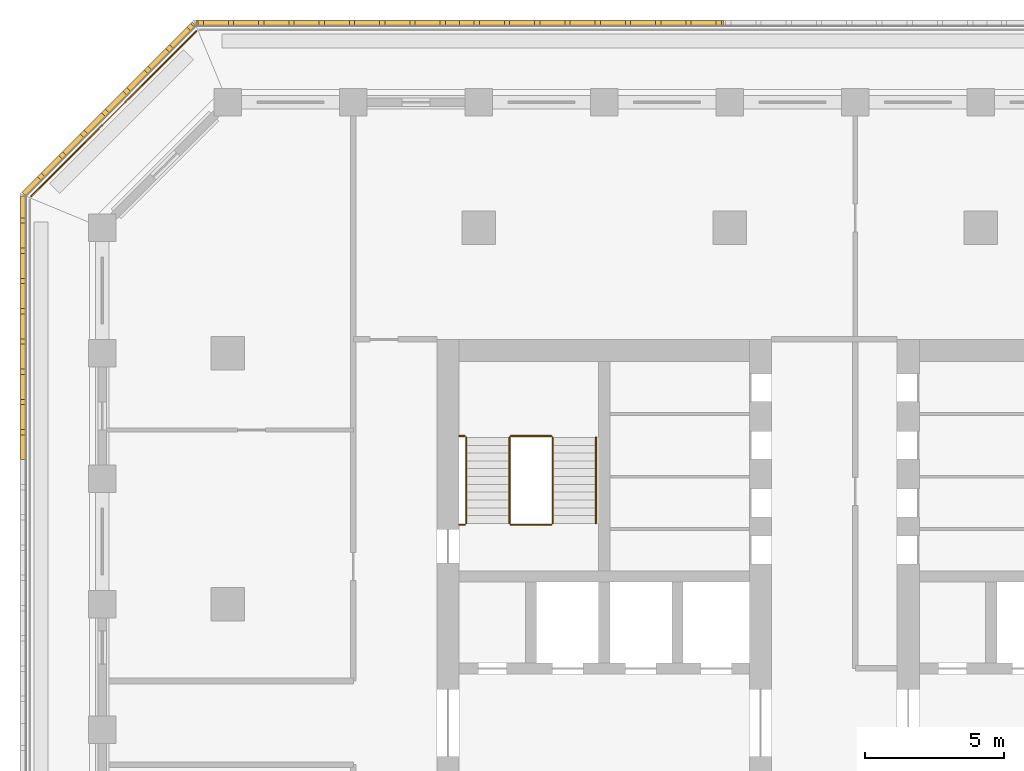
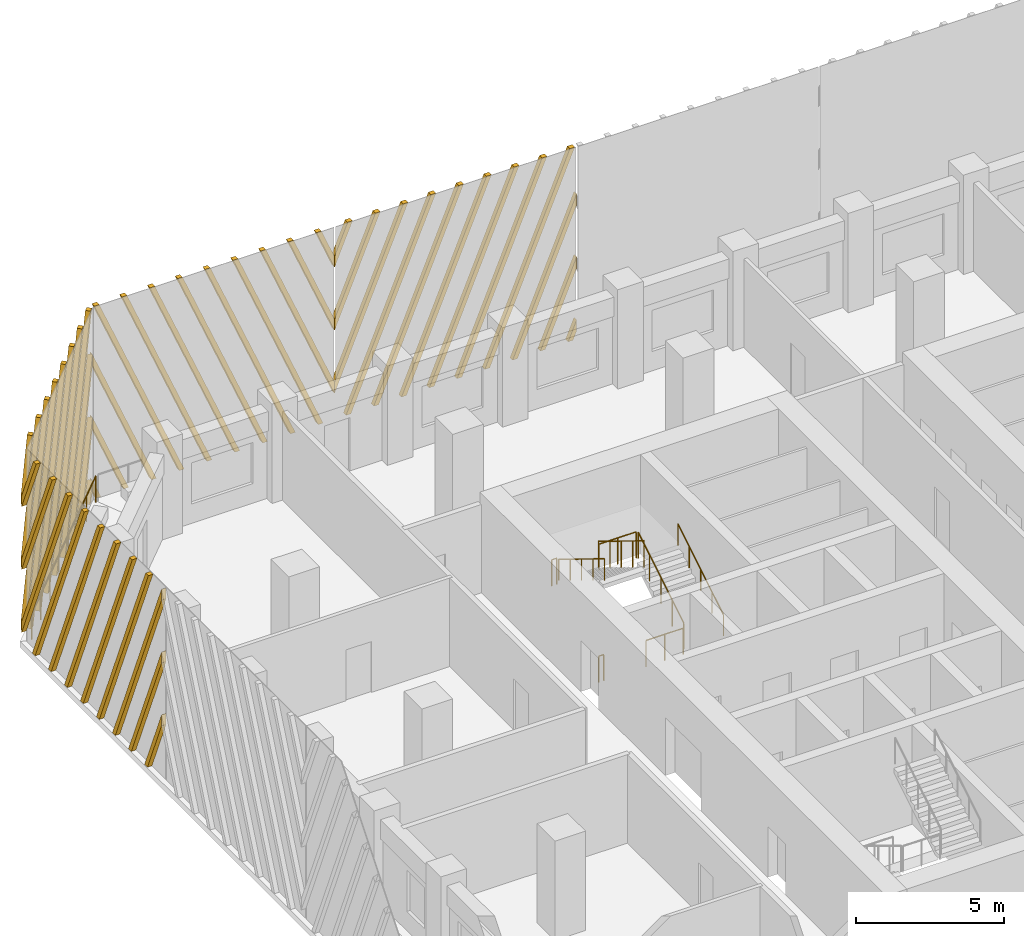
# One storey, part 13 of 16: 9 railings, 4 shading devices.
"""IFC4 building model written with IfcOpenShell, lengths in metres."""

from ifc_helpers import new_model, si_unit, direction, frame, origin, origin_2d, place, context, subcontext, project, spatial, polyline, circle, outline, extrude, source, transform, mapped, material, type_object, element, save


model = new_model("IFC4")

# Units and contexts
model_context = context("Model", 3, precision=1e-05, world=origin(), true_north=direction((0.0, 1.0)))
body_context = subcontext(model_context, "Body", "Model", "MODEL_VIEW")
ifc_project = project(units=[si_unit("LENGTHUNIT", "METRE"), si_unit("AREAUNIT", "SQUARE_METRE"), si_unit("VOLUMEUNIT", "CUBIC_METRE"), si_unit("PLANEANGLEUNIT", "RADIAN"), si_unit("MASSUNIT", "GRAM", prefix="KILO")], contexts=[model_context])

# Site, building, storey
site_placement = place(None, origin())
site = spatial("IfcSite", under=ifc_project, at=site_placement, CompositionType="ELEMENT")
building_placement = place(site_placement, origin())
building = spatial("IfcBuilding", under=site, at=building_placement, Name="Corbel Stack Research Tower", CompositionType="ELEMENT")
storey_placement = place(building_placement, frame((0.0, 0.0, 199.699951171875)))
storey = spatial("IfcBuildingStorey", under=building, at=storey_placement, Name="L45", CompositionType="ELEMENT", Elevation=199.699951171875)

# Railings
ifc_material_1 = material(Name="Steel S355", Category="steel")
railing_type_1 = type_object("IfcRailingType", Name="Stair guard 1100", PredefinedType="GUARDRAIL", material=ifc_material_1)
railing_1_placement = place(storey_placement, frame((-6.35009765625, 11.89990234375, 0.1708984375)))
element("IfcRailing", 1, at=railing_1_placement, inside=storey, type_object=railing_type_1, Name="L45 ST-W2 stair guard 1", PredefinedType="GUARDRAIL", context=body_context, shape_type="SweptSolid", body=[
    extrude(circle(Radius=0.02392578125, at=origin_2d()), frame((0.0, 0.0, 1.076171875), z_axis=(0.0, 0.853666305674, 0.52082035152), x_axis=(-1.0, 0.0, 0.0)), (0.0, 0.0, 1.0), 3.608154296875),
    extrude(circle(Radius=0.02099609375, at=origin_2d()), origin(), (0.0, 0.0, 1.0), 1.052001953125),
    extrude(circle(Radius=0.02099609375, at=origin_2d()), frame((0.0, 0.77001953125, 0.4697265625)), (0.0, 0.0, 1.0), 1.052001953125),
    extrude(circle(Radius=0.02099609375, at=origin_2d()), frame((0.0, 1.5400390625, 0.939453125)), (0.0, 0.0, 1.0), 1.052001953125),
    extrude(circle(Radius=0.02099609375, at=origin_2d()), frame((0.0, 2.31005859375, 1.409423828125)), (0.0, 0.0, 1.0), 1.052001953125),
    extrude(circle(Radius=0.02099609375, at=origin_2d()), frame((0.0, 3.080078125, 1.879150390625)), (0.0, 0.0, 1.0), 1.052001953125),
])
railing_2_placement = place(storey_placement, frame((-6.39990234375, 15.030029296875, 2.050048828125)))
element("IfcRailing", 2, at=railing_2_placement, inside=storey, type_object=railing_type_1, Name="L45 ST-W2 stair guard 2", PredefinedType="GUARDRAIL", context=body_context, shape_type="SweptSolid", body=[
    extrude(circle(Radius=0.02392578125, at=origin_2d()), frame((0.0, 0.0, 1.076171875), z_axis=(-1.0, 0.0, 0.0), x_axis=(0.0, -1.0, 0.0)), (0.0, 0.0, 1.0), 1.4501953125),
    extrude(circle(Radius=0.02099609375, at=origin_2d()), origin(), (0.0, 0.0, 1.0), 1.052001953125),
    extrude(circle(Radius=0.02099609375, at=origin_2d()), frame((-0.72509765625, 0.0, 0.0)), (0.0, 0.0, 1.0), 1.052001953125),
    extrude(circle(Radius=0.02099609375, at=origin_2d()), frame((-1.4501953125, 0.0, 0.0)), (0.0, 0.0, 1.0), 1.052001953125),
])
railing_3_placement = place(storey_placement, frame((-9.5, 15.030029296875, 2.050048828125)))
element("IfcRailing", 3, at=railing_3_placement, inside=storey, type_object=railing_type_1, Name="L45 ST-W2 stair guard 3", PredefinedType="GUARDRAIL", context=body_context, shape_type="SweptSolid", body=[
    extrude(circle(Radius=0.02392578125, at=origin_2d()), frame((0.0, 0.0, 1.076171875), z_axis=(-1.0, 0.0, 0.0), x_axis=(0.0, -1.0, 0.0)), (0.0, 0.0, 1.0), 0.199951171875),
    extrude(circle(Radius=0.02099609375, at=origin_2d()), origin(), (0.0, 0.0, 1.0), 1.052001953125),
    extrude(circle(Radius=0.02099609375, at=origin_2d()), frame((-0.199951171875, 0.0, 0.0)), (0.0, 0.0, 1.0), 1.052001953125),
])
railing_4_placement = place(storey_placement, frame((-7.89990234375, 14.97998046875, 2.220947265625)))
element("IfcRailing", 4, at=railing_4_placement, inside=storey, type_object=railing_type_1, Name="L45 ST-W2 stair guard 4", PredefinedType="GUARDRAIL", context=body_context, shape_type="SweptSolid", body=[
    extrude(circle(Radius=0.02392578125, at=origin_2d()), frame((0.0, 0.0, 1.076171875), z_axis=(0.0, -0.853666305674, 0.52082035152), x_axis=(1.0, 0.0, 0.0)), (0.0, 0.0, 1.0), 3.608154296875),
    extrude(circle(Radius=0.02099609375, at=origin_2d()), origin(), (0.0, 0.0, 1.0), 1.052001953125),
    extrude(circle(Radius=0.02099609375, at=origin_2d()), frame((0.0, -0.77001953125, 0.4697265625)), (0.0, 0.0, 1.0), 1.052001953125),
    extrude(circle(Radius=0.02099609375, at=origin_2d()), frame((0.0, -1.5400390625, 0.939453125)), (0.0, 0.0, 1.0), 1.052001953125),
    extrude(circle(Radius=0.02099609375, at=origin_2d()), frame((0.0, -2.31005859375, 1.409423828125)), (0.0, 0.0, 1.0), 1.052001953125),
    extrude(circle(Radius=0.02099609375, at=origin_2d()), frame((0.0, -3.080078125, 1.879150390625)), (0.0, 0.0, 1.0), 1.052001953125),
])
railing_5_placement = place(storey_placement, frame((-6.39990234375, 11.85009765625, 0.0)))
element("IfcRailing", 5, at=railing_5_placement, inside=storey, type_object=railing_type_1, Name="L45 ST-W2 stair guard 5", PredefinedType="GUARDRAIL", context=body_context, shape_type="SweptSolid", body=[
    extrude(circle(Radius=0.02392578125, at=origin_2d()), frame((0.0, 0.0, 1.076171875), z_axis=(-1.0, 0.0, 0.0), x_axis=(0.0, -1.0, 0.0)), (0.0, 0.0, 1.0), 1.4501953125),
    extrude(circle(Radius=0.02099609375, at=origin_2d()), origin(), (0.0, 0.0, 1.0), 1.052001953125),
    extrude(circle(Radius=0.02099609375, at=origin_2d()), frame((-0.72509765625, 0.0, 0.0)), (0.0, 0.0, 1.0), 1.052001953125),
    extrude(circle(Radius=0.02099609375, at=origin_2d()), frame((-1.4501953125, 0.0, 0.0)), (0.0, 0.0, 1.0), 1.052001953125),
])
railing_6_placement = place(storey_placement, frame((-9.5, 11.85009765625, 0.0)))
element("IfcRailing", 6, at=railing_6_placement, inside=storey, type_object=railing_type_1, Name="L45 ST-W2 stair guard 6", PredefinedType="GUARDRAIL", context=body_context, shape_type="SweptSolid", body=[
    extrude(circle(Radius=0.02392578125, at=origin_2d()), frame((0.0, 0.0, 1.076171875), z_axis=(-1.0, 0.0, 0.0), x_axis=(0.0, -1.0, 0.0)), (0.0, 0.0, 1.0), 0.199951171875),
    extrude(circle(Radius=0.02099609375, at=origin_2d()), origin(), (0.0, 0.0, 1.0), 1.052001953125),
    extrude(circle(Radius=0.02099609375, at=origin_2d()), frame((-0.199951171875, 0.0, 0.0)), (0.0, 0.0, 1.0), 1.052001953125),
])
ifc_material_2 = material(Name="Steel S355", Category="steel")
railing_type_2 = type_object("IfcRailingType", Name="Stair handrail 900", PredefinedType="HANDRAIL", material=ifc_material_2)
railing_7_placement = place(storey_placement, frame((-4.800048828125, 11.89990234375, 0.1708984375)))
element("IfcRailing", 7, at=railing_7_placement, inside=storey, type_object=railing_type_2, Name="L45 ST-W2 stair handrail 1", PredefinedType="HANDRAIL", context=body_context, shape_type="SweptSolid", body=[
    extrude(circle(Radius=0.02392578125, at=origin_2d()), frame((0.0, 0.0, 0.8759765625), z_axis=(0.0, 0.853666305674, 0.52082035152), x_axis=(-1.0, 0.0, 0.0)), (0.0, 0.0, 1.0), 3.608154296875),
    extrude(circle(Radius=0.02099609375, at=origin_2d()), origin(), (0.0, 0.0, 1.0), 0.851806640625),
    extrude(circle(Radius=0.02099609375, at=origin_2d()), frame((0.0, 0.77001953125, 0.4697265625)), (0.0, 0.0, 1.0), 0.851806640625),
    extrude(circle(Radius=0.02099609375, at=origin_2d()), frame((0.0, 1.5400390625, 0.939453125)), (0.0, 0.0, 1.0), 0.851806640625),
    extrude(circle(Radius=0.02099609375, at=origin_2d()), frame((0.0, 2.31005859375, 1.409423828125)), (0.0, 0.0, 1.0), 0.851806640625),
    extrude(circle(Radius=0.02099609375, at=origin_2d()), frame((0.0, 3.080078125, 1.879150390625)), (0.0, 0.0, 1.0), 0.851806640625),
])
railing_8_placement = place(storey_placement, frame((-9.449951171875, 14.97998046875, 2.220947265625)))
element("IfcRailing", 8, at=railing_8_placement, inside=storey, type_object=railing_type_2, Name="L45 ST-W2 stair handrail 2", PredefinedType="HANDRAIL", context=body_context, shape_type="SweptSolid", body=[
    extrude(circle(Radius=0.02392578125, at=origin_2d()), frame((0.0, 0.0, 0.8759765625), z_axis=(0.0, -0.853666305674, 0.52082035152), x_axis=(1.0, 0.0, 0.0)), (0.0, 0.0, 1.0), 3.608154296875),
    extrude(circle(Radius=0.02099609375, at=origin_2d()), origin(), (0.0, 0.0, 1.0), 0.851806640625),
    extrude(circle(Radius=0.02099609375, at=origin_2d()), frame((0.0, -0.77001953125, 0.4697265625)), (0.0, 0.0, 1.0), 0.851806640625),
    extrude(circle(Radius=0.02099609375, at=origin_2d()), frame((0.0, -1.5400390625, 0.939453125)), (0.0, 0.0, 1.0), 0.851806640625),
    extrude(circle(Radius=0.02099609375, at=origin_2d()), frame((0.0, -2.31005859375, 1.409423828125)), (0.0, 0.0, 1.0), 0.851806640625),
    extrude(circle(Radius=0.02099609375, at=origin_2d()), frame((0.0, -3.080078125, 1.879150390625)), (0.0, 0.0, 1.0), 0.851806640625),
])
ifc_material_3 = material(Name="Powder-coated steel guard", Category="steel")
railing_type_3 = type_object("IfcRailingType", Name="Steel and glass guard 1100", PredefinedType="GUARDRAIL", material=ifc_material_3)
railing_9_placement = place(storey_placement, frame((-19.127685546875, 29.54931640625, 0.0)))
element("IfcRailing", 9, at=railing_9_placement, inside=storey, type_object=railing_type_3, Name="Loggia guard L45 NW", PredefinedType="GUARDRAIL", context=body_context, shape_type="SweptSolid", body=[
    extrude(circle(Radius=0.02392578125, at=origin_2d()), frame((0.0, 0.0, 1.076171875), z_axis=(-0.707106781187, -0.707106781187, 0.0), x_axis=(0.707106781187, -0.707106781187, 0.0)), (0.0, 0.0, 1.0), 8.37451171875),
    extrude(circle(Radius=0.02099609375, at=origin_2d()), origin(), (0.0, 0.0, 1.0), 1.052001953125),
    extrude(circle(Radius=0.02099609375, at=origin_2d()), frame((-0.845947265625, -0.845947265625, 0.0)), (0.0, 0.0, 1.0), 1.052001953125),
    extrude(circle(Radius=0.02099609375, at=origin_2d()), frame((-1.69189453125, -1.69189453125, 0.0)), (0.0, 0.0, 1.0), 1.052001953125),
    extrude(circle(Radius=0.02099609375, at=origin_2d()), frame((-2.537841796875, -2.537841796875, 0.0)), (0.0, 0.0, 1.0), 1.052001953125),
    extrude(circle(Radius=0.02099609375, at=origin_2d()), frame((-3.3837890625, -3.3837890625, 0.0)), (0.0, 0.0, 1.0), 1.052001953125),
    extrude(circle(Radius=0.02099609375, at=origin_2d()), frame((-4.229736328125, -4.229736328125, 0.0)), (0.0, 0.0, 1.0), 1.052001953125),
    extrude(circle(Radius=0.02099609375, at=origin_2d()), frame((-5.07568359375, -5.07568359375, 0.0)), (0.0, 0.0, 1.0), 1.052001953125),
    extrude(circle(Radius=0.02099609375, at=origin_2d()), frame((-5.921630859375, -5.921630859375, 0.0)), (0.0, 0.0, 1.0), 1.052001953125),
])

# Shading devices
ifc_material_4 = material(Name="Precast terracotta", Category="masonry")
shading_device_type = type_object("IfcShadingDeviceType", Name="Terracotta screen panel", PredefinedType="USERDEFINED", material=ifc_material_4)
shared_shape_1 = source(origin(), body_context, "Body", "SweptSolid", [
    extrude(outline(polyline([(0.70361328125, 7.949951171875), (0.513427734375, 7.949951171875), (0.0, 6.720458984375), (0.0, 6.265380859375), (0.70361328125, 7.949951171875)])), frame((0.0, 0.0, 0.0), z_axis=(0.0, -1.0, 0.0), x_axis=(1.0, 0.0, 0.0)), (0.0, 0.0, 1.0), 0.179931640625),
    extrude(outline(polyline([(1.7880859375, 7.949951171875), (1.59814453125, 7.949951171875), (0.0, 4.123291015625), (0.0, 3.668212890625), (1.7880859375, 7.949951171875)])), frame((0.0, 0.0, 0.0), z_axis=(0.0, -1.0, 0.0), x_axis=(1.0, 0.0, 0.0)), (0.0, 0.0, 1.0), 0.179931640625),
    extrude(outline(polyline([(2.872802734375, 7.949951171875), (2.682861328125, 7.949951171875), (0.0, 1.526123046875), (0.0, 1.071044921875), (2.872802734375, 7.949951171875)])), frame((0.0, 0.0, 0.0), z_axis=(0.0, -1.0, 0.0), x_axis=(1.0, 0.0, 0.0)), (0.0, 0.0, 1.0), 0.179931640625),
    extrude(outline(polyline([(0.63720703125, 0.0), (3.95751953125, 7.949951171875), (3.767578125, 7.949951171875), (0.447265625, 0.0), (0.63720703125, 0.0)])), frame((0.0, 0.0, 0.0), z_axis=(0.0, -1.0, 0.0), x_axis=(1.0, 0.0, 0.0)), (0.0, 0.0, 1.0), 0.179931640625),
    extrude(outline(polyline([(1.721923828125, 0.0), (5.042236328125, 7.949951171875), (4.852294921875, 7.949951171875), (1.531982421875, 0.0), (1.721923828125, 0.0)])), frame((0.0, 0.0, 0.0), z_axis=(0.0, -1.0, 0.0), x_axis=(1.0, 0.0, 0.0)), (0.0, 0.0, 1.0), 0.179931640625),
    extrude(outline(polyline([(2.806640625, 0.0), (6.126708984375, 7.949951171875), (5.936767578125, 7.949951171875), (2.61669921875, 0.0), (2.806640625, 0.0)])), frame((0.0, 0.0, 0.0), z_axis=(0.0, -1.0, 0.0), x_axis=(1.0, 0.0, 0.0)), (0.0, 0.0, 1.0), 0.179931640625),
    extrude(outline(polyline([(3.891357421875, 0.0), (7.21142578125, 7.949951171875), (7.021484375, 7.949951171875), (3.701416015625, 0.0), (3.891357421875, 0.0)])), frame((0.0, 0.0, 0.0), z_axis=(0.0, -1.0, 0.0), x_axis=(1.0, 0.0, 0.0)), (0.0, 0.0, 1.0), 0.179931640625),
    extrude(outline(polyline([(4.97607421875, 0.0), (8.296142578125, 7.949951171875), (8.106201171875, 7.949951171875), (4.785888671875, 0.0), (4.97607421875, 0.0)])), frame((0.0, 0.0, 0.0), z_axis=(0.0, -1.0, 0.0), x_axis=(1.0, 0.0, 0.0)), (0.0, 0.0, 1.0), 0.179931640625),
    extrude(outline(polyline([(6.060791015625, 0.0), (9.380859375, 7.949951171875), (9.19091796875, 7.949951171875), (5.87060546875, 0.0), (6.060791015625, 0.0)])), frame((0.0, 0.0, 0.0), z_axis=(0.0, -1.0, 0.0), x_axis=(1.0, 0.0, 0.0)), (0.0, 0.0, 1.0), 0.179931640625),
    extrude(outline(polyline([(7.145263671875, 0.0), (9.45556640625, 5.531982421875), (9.45556640625, 5.98681640625), (6.955322265625, 0.0), (7.145263671875, 0.0)])), frame((0.0, 0.0, 0.0), z_axis=(0.0, -1.0, 0.0), x_axis=(1.0, 0.0, 0.0)), (0.0, 0.0, 1.0), 0.179931640625),
    extrude(outline(polyline([(8.22998046875, 0.0), (9.45556640625, 2.934814453125), (9.45556640625, 3.3896484375), (8.0400390625, 0.0), (8.22998046875, 0.0)])), frame((0.0, 0.0, 0.0), z_axis=(0.0, -1.0, 0.0), x_axis=(1.0, 0.0, 0.0)), (0.0, 0.0, 1.0), 0.179931640625),
    extrude(outline(polyline([(9.314697265625, 0.0), (9.45556640625, 0.337646484375), (9.45556640625, 0.79248046875), (9.124755859375, 0.0), (9.314697265625, 0.0)])), frame((0.0, 0.0, 0.0), z_axis=(0.0, -1.0, 0.0), x_axis=(1.0, 0.0, 0.0)), (0.0, 0.0, 1.0), 0.179931640625),
])
shading_device_1_placement = place(storey_placement, frame((-9.68359375, 29.75, 0.0), z_axis=(0.0, 0.0, 1.0), x_axis=(-1.0, 0.0, 0.0)))
element("IfcShadingDevice", 10, at=shading_device_1_placement, inside=storey, type_object=shading_device_type, Name="Terracotta screen L45 N5", ObjectType="SCREEN", PredefinedType="USERDEFINED", context=body_context, shape_type="MappedRepresentation", body=[
    mapped(shared_shape_1, transform((0.0, 0.0, 0.0))),
])
shared_shape_2 = source(origin(), body_context, "Body", "SweptSolid", [
    extrude(outline(polyline([(0.3310546875, 0.0), (0.0, 0.79248046875), (0.0, 0.337646484375), (0.14111328125, 0.0), (0.3310546875, 0.0)])), frame((0.0, 0.0, 0.0), z_axis=(0.0, -1.0, 0.0), x_axis=(1.0, 0.0, 0.0)), (0.0, 0.0, 1.0), 0.179931640625),
    extrude(outline(polyline([(1.41552734375, 0.0), (0.0, 3.3896484375), (0.0, 2.934814453125), (1.2255859375, 0.0), (1.41552734375, 0.0)])), frame((0.0, 0.0, 0.0), z_axis=(0.0, -1.0, 0.0), x_axis=(1.0, 0.0, 0.0)), (0.0, 0.0, 1.0), 0.179931640625),
    extrude(outline(polyline([(2.500244140625, 0.0), (0.0, 5.98681640625), (0.0, 5.531982421875), (2.310302734375, 0.0), (2.500244140625, 0.0)])), frame((0.0, 0.0, 0.0), z_axis=(0.0, -1.0, 0.0), x_axis=(1.0, 0.0, 0.0)), (0.0, 0.0, 1.0), 0.179931640625),
    extrude(outline(polyline([(3.5849609375, 0.0), (0.264892578125, 7.949951171875), (0.07470703125, 7.949951171875), (3.39501953125, 0.0), (3.5849609375, 0.0)])), frame((0.0, 0.0, 0.0), z_axis=(0.0, -1.0, 0.0), x_axis=(1.0, 0.0, 0.0)), (0.0, 0.0, 1.0), 0.179931640625),
    extrude(outline(polyline([(4.669677734375, 0.0), (1.349609375, 7.949951171875), (1.159423828125, 7.949951171875), (4.4794921875, 0.0), (4.669677734375, 0.0)])), frame((0.0, 0.0, 0.0), z_axis=(0.0, -1.0, 0.0), x_axis=(1.0, 0.0, 0.0)), (0.0, 0.0, 1.0), 0.179931640625),
    extrude(outline(polyline([(5.75439453125, 0.0), (2.43408203125, 7.949951171875), (2.244140625, 7.949951171875), (5.564208984375, 0.0), (5.75439453125, 0.0)])), frame((0.0, 0.0, 0.0), z_axis=(0.0, -1.0, 0.0), x_axis=(1.0, 0.0, 0.0)), (0.0, 0.0, 1.0), 0.179931640625),
    extrude(outline(polyline([(6.839111328125, 0.0), (3.518798828125, 7.949951171875), (3.328857421875, 7.949951171875), (6.64892578125, 0.0), (6.839111328125, 0.0)])), frame((0.0, 0.0, 0.0), z_axis=(0.0, -1.0, 0.0), x_axis=(1.0, 0.0, 0.0)), (0.0, 0.0, 1.0), 0.179931640625),
    extrude(outline(polyline([(7.923583984375, 0.0), (4.603515625, 7.949951171875), (4.41357421875, 7.949951171875), (7.733642578125, 0.0), (7.923583984375, 0.0)])), frame((0.0, 0.0, 0.0), z_axis=(0.0, -1.0, 0.0), x_axis=(1.0, 0.0, 0.0)), (0.0, 0.0, 1.0), 0.179931640625),
    extrude(outline(polyline([(9.00830078125, 0.0), (5.68798828125, 7.949951171875), (5.498046875, 7.949951171875), (8.818359375, 0.0), (9.00830078125, 0.0)])), frame((0.0, 0.0, 0.0), z_axis=(0.0, -1.0, 0.0), x_axis=(1.0, 0.0, 0.0)), (0.0, 0.0, 1.0), 0.179931640625),
    extrude(outline(polyline([(6.772705078125, 7.949951171875), (6.582763671875, 7.949951171875), (9.45556640625, 1.071044921875), (9.45556640625, 1.526123046875), (6.772705078125, 7.949951171875)])), frame((0.0, 0.0, 0.0), z_axis=(0.0, -1.0, 0.0), x_axis=(1.0, 0.0, 0.0)), (0.0, 0.0, 1.0), 0.179931640625),
    extrude(outline(polyline([(7.857421875, 7.949951171875), (7.66748046875, 7.949951171875), (9.45556640625, 3.668212890625), (9.45556640625, 4.123291015625), (7.857421875, 7.949951171875)])), frame((0.0, 0.0, 0.0), z_axis=(0.0, -1.0, 0.0), x_axis=(1.0, 0.0, 0.0)), (0.0, 0.0, 1.0), 0.179931640625),
    extrude(outline(polyline([(8.942138671875, 7.949951171875), (8.752197265625, 7.949951171875), (9.45556640625, 6.265380859375), (9.45556640625, 6.720458984375), (8.942138671875, 7.949951171875)])), frame((0.0, 0.0, 0.0), z_axis=(0.0, -1.0, 0.0), x_axis=(1.0, 0.0, 0.0)), (0.0, 0.0, 1.0), 0.179931640625),
])
shading_device_2_placement = place(storey_placement, frame((-0.227783203125, 29.75, 0.0), z_axis=(0.0, 0.0, 1.0), x_axis=(-1.0, 0.0, 0.0)))
element("IfcShadingDevice", 11, at=shading_device_2_placement, inside=storey, type_object=shading_device_type, Name="Terracotta screen L45 N4", ObjectType="SCREEN", PredefinedType="USERDEFINED", context=body_context, shape_type="MappedRepresentation", body=[
    mapped(shared_shape_2, transform((0.0, 0.0, 0.0))),
])
shared_shape_3 = source(origin(), body_context, "Body", "SweptSolid", [
    extrude(outline(polyline([(0.3310546875, 0.0), (0.0, 0.79248046875), (0.0, 0.337646484375), (0.14111328125, 0.0), (0.3310546875, 0.0)])), frame((0.0, 0.0, 0.0), z_axis=(0.0, -1.0, 0.0), x_axis=(1.0, 0.0, 0.0)), (0.0, 0.0, 1.0), 0.179931640625),
    extrude(outline(polyline([(1.41552734375, 0.0), (0.0, 3.3896484375), (0.0, 2.934814453125), (1.2255859375, 0.0), (1.41552734375, 0.0)])), frame((0.0, 0.0, 0.0), z_axis=(0.0, -1.0, 0.0), x_axis=(1.0, 0.0, 0.0)), (0.0, 0.0, 1.0), 0.179931640625),
    extrude(outline(polyline([(2.500244140625, 0.0), (0.0, 5.98681640625), (0.0, 5.531982421875), (2.310302734375, 0.0), (2.500244140625, 0.0)])), frame((0.0, 0.0, 0.0), z_axis=(0.0, -1.0, 0.0), x_axis=(1.0, 0.0, 0.0)), (0.0, 0.0, 1.0), 0.179931640625),
    extrude(outline(polyline([(3.5849609375, 0.0), (0.264892578125, 7.949951171875), (0.07470703125, 7.949951171875), (3.39501953125, 0.0), (3.5849609375, 0.0)])), frame((0.0, 0.0, 0.0), z_axis=(0.0, -1.0, 0.0), x_axis=(1.0, 0.0, 0.0)), (0.0, 0.0, 1.0), 0.179931640625),
    extrude(outline(polyline([(4.669677734375, 0.0), (1.349609375, 7.949951171875), (1.159423828125, 7.949951171875), (4.4794921875, 0.0), (4.669677734375, 0.0)])), frame((0.0, 0.0, 0.0), z_axis=(0.0, -1.0, 0.0), x_axis=(1.0, 0.0, 0.0)), (0.0, 0.0, 1.0), 0.179931640625),
    extrude(outline(polyline([(5.75439453125, 0.0), (2.43408203125, 7.949951171875), (2.244140625, 7.949951171875), (5.564208984375, 0.0), (5.75439453125, 0.0)])), frame((0.0, 0.0, 0.0), z_axis=(0.0, -1.0, 0.0), x_axis=(1.0, 0.0, 0.0)), (0.0, 0.0, 1.0), 0.179931640625),
    extrude(outline(polyline([(6.839111328125, 0.0), (3.518798828125, 7.949951171875), (3.328857421875, 7.949951171875), (6.64892578125, 0.0), (6.839111328125, 0.0)])), frame((0.0, 0.0, 0.0), z_axis=(0.0, -1.0, 0.0), x_axis=(1.0, 0.0, 0.0)), (0.0, 0.0, 1.0), 0.179931640625),
    extrude(outline(polyline([(7.923583984375, 0.0), (4.603515625, 7.949951171875), (4.41357421875, 7.949951171875), (7.733642578125, 0.0), (7.923583984375, 0.0)])), frame((0.0, 0.0, 0.0), z_axis=(0.0, -1.0, 0.0), x_axis=(1.0, 0.0, 0.0)), (0.0, 0.0, 1.0), 0.179931640625),
    extrude(outline(polyline([(5.68798828125, 7.949951171875), (5.498046875, 7.949951171875), (8.64208984375, 0.421875), (8.64208984375, 0.876708984375), (5.68798828125, 7.949951171875)])), frame((0.0, 0.0, 0.0), z_axis=(0.0, -1.0, 0.0), x_axis=(1.0, 0.0, 0.0)), (0.0, 0.0, 1.0), 0.179931640625),
    extrude(outline(polyline([(6.772705078125, 7.949951171875), (6.582763671875, 7.949951171875), (8.64208984375, 3.01904296875), (8.64208984375, 3.473876953125), (6.772705078125, 7.949951171875)])), frame((0.0, 0.0, 0.0), z_axis=(0.0, -1.0, 0.0), x_axis=(1.0, 0.0, 0.0)), (0.0, 0.0, 1.0), 0.179931640625),
    extrude(outline(polyline([(7.857421875, 7.949951171875), (7.66748046875, 7.949951171875), (8.64208984375, 5.6162109375), (8.64208984375, 6.071044921875), (7.857421875, 7.949951171875)])), frame((0.0, 0.0, 0.0), z_axis=(0.0, -1.0, 0.0), x_axis=(1.0, 0.0, 0.0)), (0.0, 0.0, 1.0), 0.179931640625),
])
shading_device_3_placement = place(storey_placement, frame((-19.13916015625, 29.75, 0.0), z_axis=(0.0, 0.0, 1.0), x_axis=(-0.707106781187, -0.707106781187, 0.0)))
element("IfcShadingDevice", 12, at=shading_device_3_placement, inside=storey, type_object=shading_device_type, Name="Terracotta screen L45 NW1", ObjectType="SCREEN", PredefinedType="USERDEFINED", context=body_context, shape_type="MappedRepresentation", body=[
    mapped(shared_shape_3, transform((0.0, 0.0, 0.0))),
])
shared_shape_4 = source(origin(), body_context, "Body", "SweptSolid", [
    extrude(outline(polyline([(0.974609375, 7.949951171875), (0.78466796875, 7.949951171875), (0.0, 6.071044921875), (0.0, 5.6162109375), (0.974609375, 7.949951171875)])), frame((0.0, 0.0, 0.0), z_axis=(0.0, -1.0, 0.0), x_axis=(1.0, 0.0, 0.0)), (0.0, 0.0, 1.0), 0.179931640625),
    extrude(outline(polyline([(2.059326171875, 7.949951171875), (1.869384765625, 7.949951171875), (0.0, 3.473876953125), (0.0, 3.01904296875), (2.059326171875, 7.949951171875)])), frame((0.0, 0.0, 0.0), z_axis=(0.0, -1.0, 0.0), x_axis=(1.0, 0.0, 0.0)), (0.0, 0.0, 1.0), 0.179931640625),
    extrude(outline(polyline([(3.14404296875, 7.949951171875), (2.9541015625, 7.949951171875), (0.0, 0.876708984375), (0.0, 0.421875), (3.14404296875, 7.949951171875)])), frame((0.0, 0.0, 0.0), z_axis=(0.0, -1.0, 0.0), x_axis=(1.0, 0.0, 0.0)), (0.0, 0.0, 1.0), 0.179931640625),
    extrude(outline(polyline([(0.908447265625, 0.0), (4.228759765625, 7.949951171875), (4.038818359375, 7.949951171875), (0.718505859375, 0.0), (0.908447265625, 0.0)])), frame((0.0, 0.0, 0.0), z_axis=(0.0, -1.0, 0.0), x_axis=(1.0, 0.0, 0.0)), (0.0, 0.0, 1.0), 0.179931640625),
    extrude(outline(polyline([(1.9931640625, 0.0), (5.313232421875, 7.949951171875), (5.123291015625, 7.949951171875), (1.80322265625, 0.0), (1.9931640625, 0.0)])), frame((0.0, 0.0, 0.0), z_axis=(0.0, -1.0, 0.0), x_axis=(1.0, 0.0, 0.0)), (0.0, 0.0, 1.0), 0.179931640625),
    extrude(outline(polyline([(3.077880859375, 0.0), (6.39794921875, 7.949951171875), (6.2080078125, 7.949951171875), (2.8876953125, 0.0), (3.077880859375, 0.0)])), frame((0.0, 0.0, 0.0), z_axis=(0.0, -1.0, 0.0), x_axis=(1.0, 0.0, 0.0)), (0.0, 0.0, 1.0), 0.179931640625),
    extrude(outline(polyline([(4.16259765625, 0.0), (7.482666015625, 7.949951171875), (7.292724609375, 7.949951171875), (3.972412109375, 0.0), (4.16259765625, 0.0)])), frame((0.0, 0.0, 0.0), z_axis=(0.0, -1.0, 0.0), x_axis=(1.0, 0.0, 0.0)), (0.0, 0.0, 1.0), 0.179931640625),
    extrude(outline(polyline([(5.247314453125, 0.0), (8.5673828125, 7.949951171875), (8.377197265625, 7.949951171875), (5.05712890625, 0.0), (5.247314453125, 0.0)])), frame((0.0, 0.0, 0.0), z_axis=(0.0, -1.0, 0.0), x_axis=(1.0, 0.0, 0.0)), (0.0, 0.0, 1.0), 0.179931640625),
    extrude(outline(polyline([(6.331787109375, 0.0), (9.45556640625, 7.479736328125), (9.45556640625, 7.934814453125), (6.141845703125, 0.0), (6.331787109375, 0.0)])), frame((0.0, 0.0, 0.0), z_axis=(0.0, -1.0, 0.0), x_axis=(1.0, 0.0, 0.0)), (0.0, 0.0, 1.0), 0.179931640625),
    extrude(outline(polyline([(7.41650390625, 0.0), (9.45556640625, 4.882568359375), (9.45556640625, 5.337646484375), (7.2265625, 0.0), (7.41650390625, 0.0)])), frame((0.0, 0.0, 0.0), z_axis=(0.0, -1.0, 0.0), x_axis=(1.0, 0.0, 0.0)), (0.0, 0.0, 1.0), 0.179931640625),
    extrude(outline(polyline([(8.501220703125, 0.0), (9.45556640625, 2.285400390625), (9.45556640625, 2.740478515625), (8.311279296875, 0.0), (8.501220703125, 0.0)])), frame((0.0, 0.0, 0.0), z_axis=(0.0, -1.0, 0.0), x_axis=(1.0, 0.0, 0.0)), (0.0, 0.0, 1.0), 0.179931640625),
])
shading_device_4_placement = place(storey_placement, frame((-25.25, 23.63916015625, 0.0), z_axis=(0.0, 0.0, 1.0), x_axis=(0.0, -1.0, 0.0)))
element("IfcShadingDevice", 13, at=shading_device_4_placement, inside=storey, type_object=shading_device_type, Name="Terracotta screen L45 W1", ObjectType="SCREEN", PredefinedType="USERDEFINED", context=body_context, shape_type="MappedRepresentation", body=[
    mapped(shared_shape_4, transform((0.0, 0.0, 0.0))),
])

save(model, "model.ifc")
